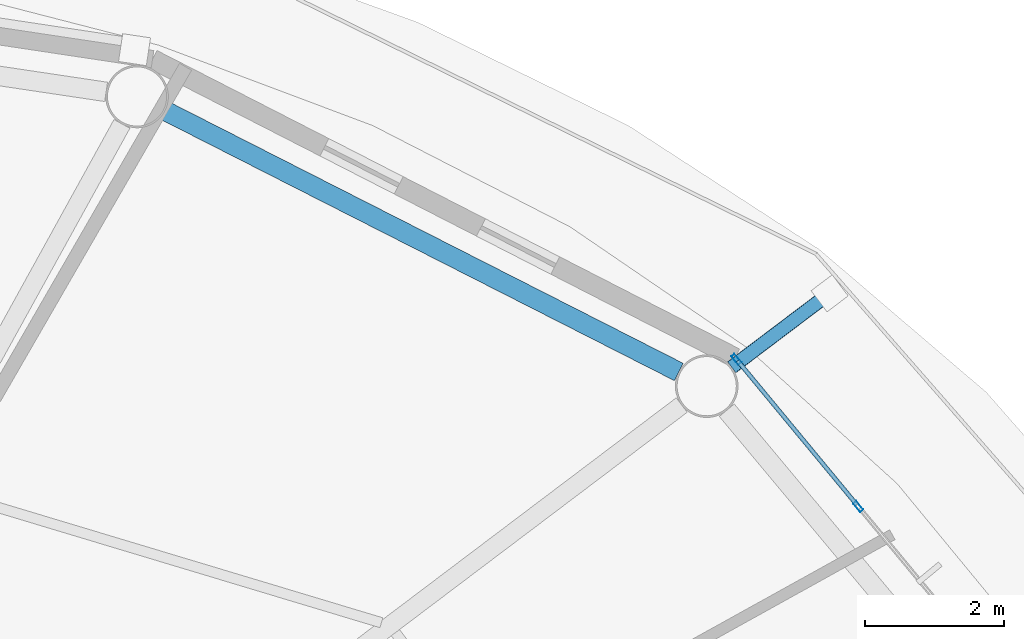
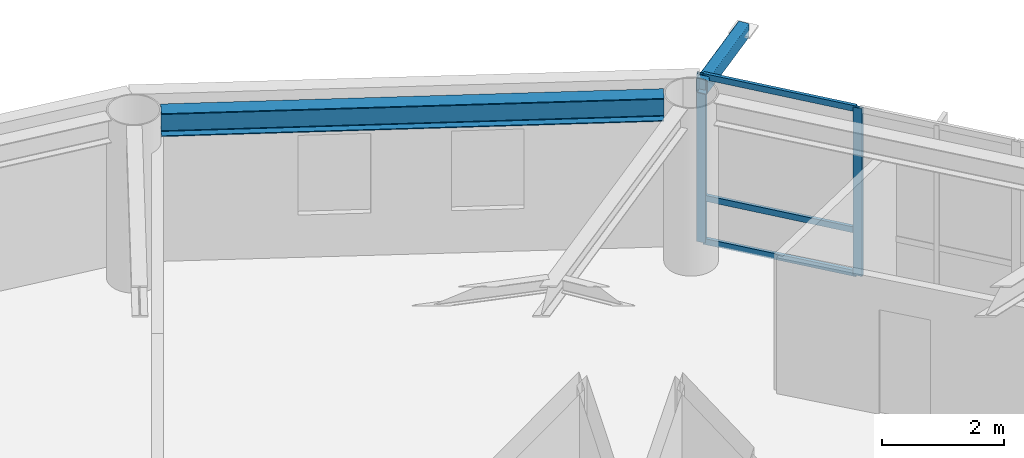
# One storey, part 11 of 22: 6 members, 1 beam, 1 element without a shape of its own.
"""IFC4 building model written with IfcOpenShell, lengths in metres."""

import ifcopenshell
import ifcopenshell.guid

model = None  # the IFC model being written
_history = None  # IfcOwnerHistory: only IFC2X3 demands one
_inside = {}  # id of a spatial element -> (the spatial element, [elements in it])
_under = {}  # id of a project, library or spatial element -> (it, [spatial elements below it])
_declared = {}  # id of a project -> (the project, [libraries it declares])
_typed = {}  # id of a type object -> (the type object, [elements of that type])
_made_of = {}  # id of a material, layer set ... -> (it, [elements and type objects made of it])


def new_model(schema):
    """Start an empty IFC model of exactly this schema.

    Asked for "IFC4X3", IfcOpenShell would pick the latest addendum, in which some entities
    have other attributes; the version numbers below select the first issue.
    IFC2X3 requires an IfcOwnerHistory on every rooted entity: one is made here for all.
    """
    global model, _history
    if schema == "IFC4X3":
        model = ifcopenshell.file(schema_version=(4, 3, 0, 0))
    else:
        model = ifcopenshell.file(schema=schema)
    _inside.clear()
    _under.clear()
    _declared.clear()
    _typed.clear()
    _made_of.clear()
    _history = None
    if model.schema == "IFC2X3":
        org = make("IfcOrganization", Name="unknown")
        user = make(
            "IfcPersonAndOrganization",
            ThePerson=make("IfcPerson", FamilyName="unknown"),
            TheOrganization=org,
        )
        app = make(
            "IfcApplication",
            ApplicationDeveloper=org,
            Version="unknown",
            ApplicationFullName="unknown",
            ApplicationIdentifier="unknown",
        )
        _history = make(
            "IfcOwnerHistory",
            OwningUser=user,
            OwningApplication=app,
            ChangeAction="ADDED",
            CreationDate=0,
        )
    return model


def make(cls, **values):
    """One entity of the class cls with the attributes given. An attribute that is None is left unset."""
    return model.create_entity(
        cls, **{name: value for name, value in values.items() if value is not None}
    )


def rooted(cls, **values):
    """An entity with a GlobalId (a new one), such as an element, a storey or a relation."""
    return make(cls, GlobalId=ifcopenshell.guid.new(), OwnerHistory=_history, **values)


def si_unit(unit_type, name, prefix=None):
    """IfcSIUnit, for example si_unit("LENGTHUNIT", "METRE", prefix="MILLI")."""
    return make("IfcSIUnit", UnitType=unit_type, Prefix=prefix, Name=name)


def assignment(units):
    """IfcUnitAssignment: the units of a project."""
    return None if units is None else make("IfcUnitAssignment", Units=units)


def point(xyz):
    """IfcCartesianPoint."""
    return None if xyz is None else make("IfcCartesianPoint", Coordinates=xyz)


def direction(xyz):
    """IfcDirection."""
    return None if xyz is None else make("IfcDirection", DirectionRatios=xyz)


def frame(location, z_axis=None, x_axis=None):
    """IfcAxis2Placement3D, a coordinate frame: its origin and axes. An axis left out is left unset."""
    return make(
        "IfcAxis2Placement3D",
        Location=point(location),
        Axis=direction(z_axis),
        RefDirection=direction(x_axis),
    )


def frame_2d(location, x_axis=None):
    """IfcAxis2Placement2D, a coordinate frame in the plane: its origin and x axis."""
    return make(
        "IfcAxis2Placement2D", Location=point(location), RefDirection=direction(x_axis)
    )


def origin():
    """The frame at (0, 0, 0) with its axes left unset."""
    return frame((0.0, 0.0, 0.0))


def origin_2d():
    """The frame at (0, 0) in the plane with its x axis left unset."""
    return frame_2d((0.0, 0.0))


def place(relative_to, where):
    """IfcLocalPlacement: puts the frame where relative to a parent placement (None: the world)."""
    return make(
        "IfcLocalPlacement", PlacementRelTo=relative_to, RelativePlacement=where
    )


def context(
    kind, dimensions, precision=None, world=None, true_north=None, identifier=None
):
    """IfcGeometricRepresentationContext, for example the 3D "Model" context."""
    return make(
        "IfcGeometricRepresentationContext",
        ContextIdentifier=identifier,
        ContextType=kind,
        CoordinateSpaceDimension=dimensions,
        Precision=precision,
        WorldCoordinateSystem=world,
        TrueNorth=true_north,
    )


def subcontext(parent, identifier, kind, view, scale=None):
    """IfcGeometricRepresentationSubContext, for example "Body" below "Model"."""
    return make(
        "IfcGeometricRepresentationSubContext",
        ContextIdentifier=identifier,
        ContextType=kind,
        ParentContext=parent,
        TargetScale=scale,
        TargetView=view,
    )


def project(units=None, contexts=None):
    """IfcProject with its units and contexts."""
    return rooted(
        "IfcProject",
        Name="project",
        RepresentationContexts=contexts,
        UnitsInContext=assignment(units),
    )


def spatial(cls, under=None, at=None, **own):
    """A site, building, storey or space (cls), placed at a placement, below another one or the project."""
    s = rooted(cls, ObjectPlacement=at, **own)
    if under is not None:
        _under.setdefault(under.id(), (under, []))[1].append(s)
    return s


def profile(cls, at=None, kind="AREA", **sizes):
    """A parametric profile (cls). Its sizes go by their IFC names, for example OverallWidth=200.0."""
    return make(cls, ProfileType=kind, Position=at, **sizes)


def hollow_rectangle(**sizes):
    """IfcRectangleHollowProfileDef."""
    return profile("IfcRectangleHollowProfileDef", **sizes)


def i_section(**sizes):
    """IfcIShapeProfileDef."""
    return profile("IfcIShapeProfileDef", **sizes)


def extrude(swept, where, along, depth):
    """IfcExtrudedAreaSolid: the profile swept, set in the frame where, extruded along a direction by depth."""
    return make(
        "IfcExtrudedAreaSolid",
        SweptArea=swept,
        Position=where,
        ExtrudedDirection=direction(along),
        Depth=depth,
    )


def shape(context_of_items, identifier, shape_type, items):
    """IfcShapeRepresentation: the items that make up one representation, for example the "Body"."""
    return make(
        "IfcShapeRepresentation",
        ContextOfItems=context_of_items,
        RepresentationIdentifier=identifier,
        RepresentationType=shape_type,
        Items=items,
    )


def material(Name=None, Category=None):
    """IfcMaterial."""
    return make("IfcMaterial", Name=Name, Category=Category)


def layer(
    of_material, thickness, ventilated=None, Name=None, Category=None, Priority=None
):
    """IfcMaterialLayer: one layer of a wall or slab, of a material (None: an air gap)."""
    return make(
        "IfcMaterialLayer",
        Material=of_material,
        LayerThickness=thickness,
        IsVentilated=ventilated,
        Name=Name,
        Category=Category,
        Priority=Priority,
    )


def layer_set(layers, Name=None):
    """IfcMaterialLayerSet."""
    return make("IfcMaterialLayerSet", MaterialLayers=layers, LayerSetName=Name)


def material_profile(
    of_material, cross_section, Name=None, Category=None, Priority=None
):
    """IfcMaterialProfile: a cross section and its material."""
    return make(
        "IfcMaterialProfile",
        Name=Name,
        Material=of_material,
        Profile=cross_section,
        Priority=Priority,
        Category=Category,
    )


def profile_set(profiles, Name=None, composite=None):
    """IfcMaterialProfileSet."""
    return make(
        "IfcMaterialProfileSet",
        Name=Name,
        MaterialProfiles=profiles,
        CompositeProfile=composite,
    )


def made_of(thing, what):
    """Note that an element or type object is made of a material, layer set ...; save() writes the relation."""
    if what is not None:
        _made_of.setdefault(what.id(), (what, []))[1].append(thing)
    return thing


def type_object(cls, material=None, **own):
    """A type object (cls), such as IfcWallType, which elements share."""
    return made_of(rooted(cls, **own), material)


def element(
    cls,
    number,
    at=None,
    inside=None,
    cuts=None,
    type_object=None,
    material=None,
    context=None,
    identifier="Body",
    shape_type=None,
    held_by="IfcProductDefinitionShape",
    body=None,
    shapes=None,
    **own,
):
    """One element of the class cls, such as IfcWall. Its Tag is "e" and its number.

    at: its placement. inside: the storey or other place that contains it. cuts: it is an
    opening in that element (IfcRelVoidsElement). A single representation is given by context,
    identifier, shape_type and body (its items); several are given by shapes. held_by: the class
    of the entity that holds the representations. save() writes the other relations.
    """
    e = rooted(cls, Tag="e%d" % number, ObjectPlacement=at, **own)
    if body is not None:
        shapes = [shape(context, identifier, shape_type, body)]
    if shapes is not None:
        e.Representation = make(held_by, Representations=shapes)
    if inside is not None:
        _inside.setdefault(inside.id(), (inside, []))[1].append(e)
    if cuts is not None:
        rooted(
            "IfcRelVoidsElement", RelatingBuildingElement=cuts, RelatedOpeningElement=e
        )
    if type_object is not None:
        _typed.setdefault(type_object.id(), (type_object, []))[1].append(e)
    return made_of(e, material)


def aggregate(whole, parts):
    """IfcRelAggregates: a whole, such as a stair, and the parts it consists of."""
    return rooted("IfcRelAggregates", RelatingObject=whole, RelatedObjects=parts)


def save(model, path):
    """Write the relations noted so far, then the file.

    IfcRelAggregates (storeys below a building ...), IfcRelContainedInSpatialStructure (elements
    in a storey), IfcRelDefinesByType, IfcRelAssociatesMaterial and IfcRelDeclares: one each for
    every whole, place, type object, material and project.
    """
    for whole, parts in _under.values():
        aggregate(whole, parts)
    for where, things in _inside.values():
        rooted(
            "IfcRelContainedInSpatialStructure",
            RelatedElements=things,
            RelatingStructure=where,
        )
    for kind, things in _typed.values():
        rooted("IfcRelDefinesByType", RelatedObjects=things, RelatingType=kind)
    for what, things in _made_of.values():
        rooted("IfcRelAssociatesMaterial", RelatedObjects=things, RelatingMaterial=what)
    for by, libraries in _declared.values():
        rooted("IfcRelDeclares", RelatingContext=by, RelatedDefinitions=libraries)
    model.write(path)


model = new_model("IFC4")

# Units and contexts
model_context = context("Model", 3, precision=1e-05, world=origin(), true_north=direction((0.0, 1.0)))
body_context = subcontext(model_context, "Body", "Model", "MODEL_VIEW")
ifc_project = project(units=[si_unit("LENGTHUNIT", "METRE"), si_unit("AREAUNIT", "SQUARE_METRE"), si_unit("VOLUMEUNIT", "CUBIC_METRE"), si_unit("PLANEANGLEUNIT", "RADIAN"), si_unit("MASSUNIT", "GRAM", prefix="KILO")], contexts=[model_context])

# Site, building, storey
site_placement = place(None, origin())
site = spatial("IfcSite", under=ifc_project, at=site_placement, CompositionType="ELEMENT")
building_placement = place(site_placement, origin())
building = spatial("IfcBuilding", under=site, at=building_placement, Name="Sarneth Arch Tower", CompositionType="ELEMENT")
storey_placement = place(building_placement, frame((0.0, 0.0, 294.60009765625)))
storey = spatial("IfcBuildingStorey", under=building, at=storey_placement, Name="L76", CompositionType="ELEMENT", Elevation=294.60009765625)

# Beam
ifc_material_1 = material(Name="Steel S355", Category="steel")
ifc_material_profile_1 = material_profile(ifc_material_1, i_section(OverallWidth=0.280029296875, OverallDepth=0.462890625, WebThickness=0.0107421875, FlangeThickness=0.017333984375, FilletRadius=0.01806640625, at=origin_2d()), Name="W460x113")
ifc_profile_set_1 = profile_set([ifc_material_profile_1], Name="Steel S355")
beam_type = type_object("IfcBeamType", Name="BM-RAD-460A", PredefinedType="BEAM", material=ifc_profile_set_1)
beam_placement = place(storey_placement, frame((65.57421875, 55.780517578125, 3.138427734375), z_axis=(-0.891376248079, 0.453264144138, 0.0), x_axis=(-0.453264144138, -0.891376248079, 0.0)))
element("IfcBeam", 1, at=beam_placement, inside=storey, type_object=beam_type, Name="L76 Perimeter spandrel beam 03", PredefinedType="BEAM", context=body_context, shape_type="SweptSolid", body=[
    extrude(i_section(OverallWidth=0.280029296875, OverallDepth=0.462890625, WebThickness=0.0107421875, FlangeThickness=0.017333984375, FilletRadius=0.01806640625, at=origin_2d()), origin(), (0.0, 0.0, 1.0), 8.281982421875),
])

# Curtain wall, members
ifc_material_2 = material(Name="Anodised aluminium Type AA25 and solar-control low-e laminated IGU", Category="aluminium")
ifc_layer = layer(ifc_material_2, 0.179931640625)
ifc_layer_set = layer_set([ifc_layer], Name="Anodised aluminium Type AA25 and solar-control low-e laminated IGU")
curtain_wall_type = type_object("IfcCurtainWallType", Name="CW-RES-HIGH", PredefinedType="NOTDEFINED", material=ifc_layer_set)
curtain_wall_placement = place(storey_placement, origin())
curtain_wall = element("IfcCurtainWall", 2, at=curtain_wall_placement, inside=storey, type_object=curtain_wall_type, Name="L76 Unitised curtain wall facet 02", PredefinedType="NOTDEFINED")
ifc_material_3 = material(Name="Anodised Aluminium 6063-T6", Category="aluminium")
ifc_material_profile_2 = material_profile(ifc_material_3, hollow_rectangle(XDim=0.06005859375, YDim=0.159912109375, WallThickness=0.00390625, at=origin_2d()), Name="AL-MULL-160x60x4")
ifc_profile_set_2 = profile_set([ifc_material_profile_2], Name="Anodised Aluminium 6063-T6")
member_type_1 = type_object("IfcMemberType", Name="CW-MULLION", PredefinedType="MULLION", material=ifc_profile_set_2)
member_1_placement = place(storey_placement, frame((68.15283203125, 53.84765625, 0.0), z_axis=(0.0, 0.0, 1.0), x_axis=(-0.770359245933, -0.637610094184, 0.0)))
member_1 = element("IfcMember", 3, at=member_1_placement, type_object=member_type_1, Name="CW-SYS-6 mullion 3", PredefinedType="MULLION", context=body_context, shape_type="SweptSolid", body=[
    extrude(hollow_rectangle(XDim=0.06005859375, YDim=0.159912109375, WallThickness=0.00390625, at=origin_2d()), origin(), (0.0, 0.0, 1.0), 3.369873046875),
])
member_2_placement = place(storey_placement, frame((66.401611328125, 55.96337890625, 0.0), z_axis=(0.0, 0.0, 1.0), x_axis=(-0.770359245933, -0.637610094184, 0.0)))
member_2 = element("IfcMember", 4, at=member_2_placement, type_object=member_type_1, Name="CW-SYS-6 mullion 4", PredefinedType="MULLION", context=body_context, shape_type="SweptSolid", body=[
    extrude(hollow_rectangle(XDim=0.06005859375, YDim=0.159912109375, WallThickness=0.00390625, at=origin_2d()), origin(), (0.0, 0.0, 1.0), 3.369873046875),
])
ifc_material_4 = material(Name="Anodised Aluminium 6063-T6", Category="aluminium")
ifc_material_profile_3 = material_profile(ifc_material_4, hollow_rectangle(XDim=0.06005859375, YDim=0.1201171875, WallThickness=0.00390625, at=origin_2d()), Name="AL-TRAN-120x60x4")
ifc_profile_set_3 = profile_set([ifc_material_profile_3], Name="Anodised Aluminium 6063-T6")
member_type_2 = type_object("IfcMemberType", Name="CW-TRANSOM", PredefinedType="USERDEFINED", material=ifc_profile_set_3)
member_3_placement = place(storey_placement, frame((68.1337890625, 53.87060546875, 0.02978515625), z_axis=(-0.637606765719, 0.770362000821, 0.0), x_axis=(-0.770362000821, -0.637606765719, 0.0)))
member_3 = element("IfcMember", 5, at=member_3_placement, type_object=member_type_2, Name="CW-SYS-6 transom 3.1", ObjectType="TRANSOM", PredefinedType="USERDEFINED", context=body_context, shape_type="SweptSolid", body=[
    extrude(hollow_rectangle(XDim=0.06005859375, YDim=0.1201171875, WallThickness=0.00390625, at=origin_2d()), origin(), (0.0, 0.0, 1.0), 2.686767578125),
])
member_4_placement = place(storey_placement, frame((68.1337890625, 53.87060546875, 0.89990234375), z_axis=(-0.637606765719, 0.770362000821, 0.0), x_axis=(-0.770362000821, -0.637606765719, 0.0)))
member_4 = element("IfcMember", 6, at=member_4_placement, type_object=member_type_2, Name="CW-SYS-6 transom 3.2", ObjectType="TRANSOM", PredefinedType="USERDEFINED", context=body_context, shape_type="SweptSolid", body=[
    extrude(hollow_rectangle(XDim=0.06005859375, YDim=0.1201171875, WallThickness=0.00390625, at=origin_2d()), origin(), (0.0, 0.0, 1.0), 2.686767578125),
])
member_5_placement = place(storey_placement, frame((68.1337890625, 53.87060546875, 3.33984375), z_axis=(-0.637606765719, 0.770362000821, 0.0), x_axis=(-0.770362000821, -0.637606765719, 0.0)))
member_5 = element("IfcMember", 7, at=member_5_placement, type_object=member_type_2, Name="CW-SYS-6 transom 3.3", ObjectType="TRANSOM", PredefinedType="USERDEFINED", context=body_context, shape_type="SweptSolid", body=[
    extrude(hollow_rectangle(XDim=0.06005859375, YDim=0.1201171875, WallThickness=0.00390625, at=origin_2d()), origin(), (0.0, 0.0, 1.0), 2.686767578125),
])
aggregate(curtain_wall, [member_1, member_2, member_3, member_4, member_5])

# Member
ifc_material_5 = material(Name="Steel S355", Category="steel")
ifc_material_profile_4 = material_profile(ifc_material_5, hollow_rectangle(XDim=0.199951171875, YDim=0.300048828125, WallThickness=0.012451171875, InnerFilletRadius=0.018798828125, OuterFilletRadius=0.03125, at=origin_2d()), Name="RHS300x200x12.5")
ifc_profile_set_4 = profile_set([ifc_material_profile_4], Name="Steel S355")
member_type_3 = type_object("IfcMemberType", Name="MEM-CANT-STRUT", PredefinedType="STRUT", material=ifc_profile_set_4)
member_6_placement = place(storey_placement, frame((66.334228515625, 55.84765625, 3.2099609375), z_axis=(0.797951672518, 0.602721435098, 0.0), x_axis=(-0.602721435098, 0.797951672518, 0.0)))
element("IfcMember", 8, at=member_6_placement, inside=storey, type_object=member_type_3, Name="L76 Balcony cantilever bracket 03", PredefinedType="STRUT", context=body_context, shape_type="SweptSolid", body=[
    extrude(hollow_rectangle(XDim=0.199951171875, YDim=0.300048828125, WallThickness=0.012451171875, InnerFilletRadius=0.018798828125, OuterFilletRadius=0.03125, at=origin_2d()), origin(), (0.0, 0.0, 1.0), 1.76318359375),
])

save(model, "model.ifc")
